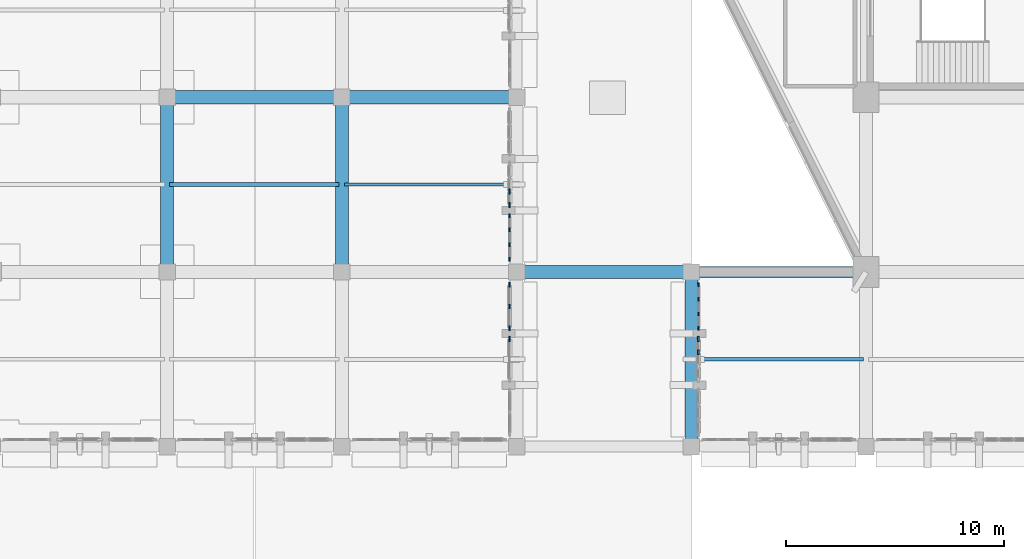
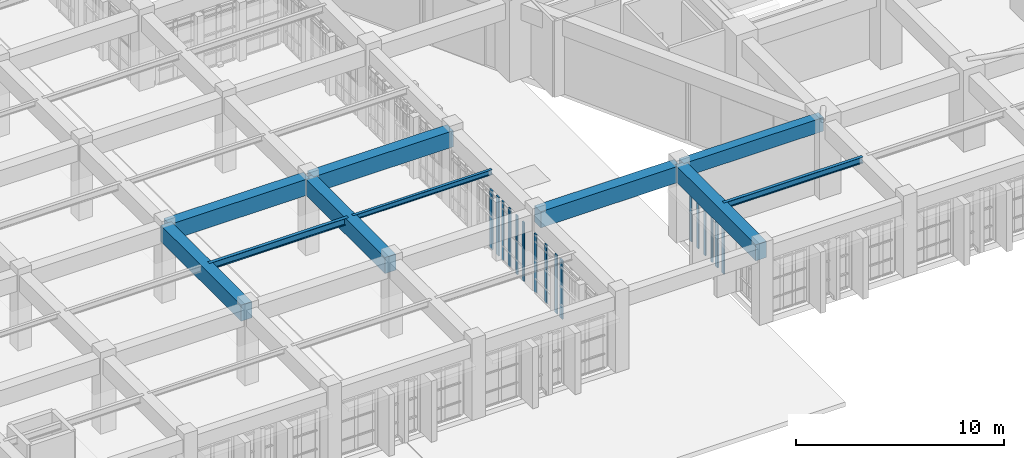
# One storey, part 12 of 155: 16 members, 10 beams, 6 elements without a shape of their own.
"""IFC4 building model written with IfcOpenShell, lengths in metres."""

from ifc_helpers import new_model, si_unit, direction, frame, origin, origin_2d, place, context, subcontext, project, spatial, rectangle, i_section, extrude, material, layer, layer_set, material_profile, profile_set, type_object, element, aggregate, save


model = new_model("IFC4")

# Units and contexts
model_context = context("Model", 3, precision=1e-05, world=origin(), true_north=direction((0.0, 1.0)))
body_context = subcontext(model_context, "Body", "Model", "MODEL_VIEW")
ifc_project = project(units=[si_unit("LENGTHUNIT", "METRE"), si_unit("AREAUNIT", "SQUARE_METRE"), si_unit("VOLUMEUNIT", "CUBIC_METRE"), si_unit("PLANEANGLEUNIT", "RADIAN"), si_unit("MASSUNIT", "GRAM", prefix="KILO")], contexts=[model_context])

# Site, building, storey
site_placement = place(None, origin())
site = spatial("IfcSite", under=ifc_project, at=site_placement, CompositionType="ELEMENT")
building_placement = place(site_placement, origin())
building = spatial("IfcBuilding", under=site, at=building_placement, Name="Tazarka Park Arena", CompositionType="ELEMENT")
storey_placement = place(building_placement, frame((0.0, 0.0, 5.39990234375)))
storey = spatial("IfcBuildingStorey", under=building, at=storey_placement, Name="L01", CompositionType="ELEMENT", Elevation=5.39990234375)

# Beams
ifc_material_1 = material(Name="Concrete C40/50", Category="concrete")
ifc_material_profile_1 = material_profile(ifc_material_1, rectangle(XDim=0.60009765625, YDim=0.949951171875, at=origin_2d()), Name="Concrete C40/50")
ifc_profile_set_1 = profile_set([ifc_material_profile_1], Name="Concrete C40/50")
beam_type_1 = type_object("IfcBeamType", Name="BM-B-03", PredefinedType="BEAM", material=ifc_profile_set_1)
for number, where, z_axis, x_axis, name in (
    (1, (32.0, 16.1201171875, 3.945068359375), (0.0, 1.0, 0.0), (-1.0, 0.0, 0.0), "GYM-L01-04-02"),
    (2, (32.1201171875, 24.0, 3.945068359375), (1.0, 0.0, 0.0), (0.0, 1.0, 0.0), "GXM-L01-04-03"),
    (3, (40.0, 16.1201171875, 3.945068359375), (0.0, 1.0, 0.0), (-1.0, 0.0, 0.0), "GYM-L01-05-02"),
    (4, (40.1201171875, 24.0, 3.945068359375), (1.0, 0.0, 0.0), (0.0, 1.0, 0.0), "GXM-L01-05-03"),
    (5, (48.1201171875, 16.0, 3.945068359375), (1.0, 0.0, 0.0), (0.0, 1.0, 0.0), "GXM-L01-06-02"),
    (6, (56.0, 8.1201171875, 3.945068359375), (0.0, 1.0, 0.0), (-1.0, 0.0, 0.0), "GYM-L01-07-01"),
):
    element("IfcBeam", number, at=place(storey_placement, frame(where, z_axis=z_axis, x_axis=x_axis)), inside=storey, type_object=beam_type_1, Name=name, PredefinedType="BEAM", context=body_context, shape_type="SweptSolid", body=[
        extrude(rectangle(XDim=0.60009765625, YDim=0.949951171875, at=origin_2d()), origin(), (0.0, 0.0, 1.0), 7.759765625),
    ])
ifc_material_2 = material(Name="Steel S355", Category="steel")
ifc_material_profile_2 = material_profile(ifc_material_2, i_section(OverallWidth=0.14990234375, OverallDepth=0.300048828125, WebThickness=0.007080078125, FlangeThickness=0.0107421875, FilletRadius=0.014892578125, at=origin_2d()), Name="Steel S355")
ifc_profile_set_2 = profile_set([ifc_material_profile_2], Name="Steel S355")
beam_type_2 = type_object("IfcBeamType", Name="BM-J-01", PredefinedType="JOIST", material=ifc_profile_set_2)
beam_1_placement = place(storey_placement, frame((40.1201171875, 20.0, 4.27001953125), z_axis=(1.0, 0.0, 0.0), x_axis=(0.0, 1.0, 0.0)))
element("IfcBeam", 7, at=beam_1_placement, inside=storey, type_object=beam_type_2, Name="JST-L01-05-02", PredefinedType="JOIST", context=body_context, shape_type="SweptSolid", body=[
    extrude(i_section(OverallWidth=0.14990234375, OverallDepth=0.300048828125, WebThickness=0.007080078125, FlangeThickness=0.0107421875, FilletRadius=0.014892578125, at=origin_2d()), origin(), (0.0, 0.0, 1.0), 7.759765625),
])
ifc_material_3 = material(Name="Steel S355", Category="steel")
ifc_material_profile_3 = material_profile(ifc_material_3, i_section(OverallWidth=0.169921875, OverallDepth=0.360107421875, WebThickness=0.008056640625, FlangeThickness=0.0126953125, FilletRadius=0.01806640625, at=origin_2d()), Name="Steel S355")
ifc_profile_set_3 = profile_set([ifc_material_profile_3], Name="Steel S355")
beam_type_3 = type_object("IfcBeamType", Name="BM-J-02", PredefinedType="JOIST", material=ifc_profile_set_3)
beam_2_placement = place(storey_placement, frame((56.1201171875, 12.0, 4.239990234375), z_axis=(1.0, 0.0, 0.0), x_axis=(0.0, 1.0, 0.0)))
element("IfcBeam", 8, at=beam_2_placement, inside=storey, type_object=beam_type_3, Name="JST-L01-07-01", PredefinedType="JOIST", context=body_context, shape_type="SweptSolid", body=[
    extrude(i_section(OverallWidth=0.169921875, OverallDepth=0.360107421875, WebThickness=0.008056640625, FlangeThickness=0.0126953125, FilletRadius=0.01806640625, at=origin_2d()), origin(), (0.0, 0.0, 1.0), 7.759765625),
])
ifc_material_4 = material(Name="Steel S355", Category="steel")
ifc_material_profile_4 = material_profile(ifc_material_4, i_section(OverallWidth=0.179931640625, OverallDepth=0.39990234375, WebThickness=0.008544921875, FlangeThickness=0.013427734375, FilletRadius=0.02099609375, at=origin_2d()), Name="Steel S355")
ifc_profile_set_4 = profile_set([ifc_material_profile_4], Name="Steel S355")
beam_type_4 = type_object("IfcBeamType", Name="BM-J-03", PredefinedType="JOIST", material=ifc_profile_set_4)
beam_3_placement = place(storey_placement, frame((32.1201171875, 20.0, 4.22021484375), z_axis=(1.0, 0.0, 0.0), x_axis=(0.0, 1.0, 0.0)))
element("IfcBeam", 9, at=beam_3_placement, inside=storey, type_object=beam_type_4, Name="JST-L01-04-02", PredefinedType="JOIST", context=body_context, shape_type="SweptSolid", body=[
    extrude(i_section(OverallWidth=0.179931640625, OverallDepth=0.39990234375, WebThickness=0.008544921875, FlangeThickness=0.013427734375, FilletRadius=0.02099609375, at=origin_2d()), origin(), (0.0, 0.0, 1.0), 7.759765625),
])
ifc_material_5 = material(Name="Concrete C40/50", Category="concrete")
ifc_material_profile_5 = material_profile(ifc_material_5, rectangle(XDim=0.5, YDim=0.800048828125, at=origin_2d()), Name="Concrete C40/50")
ifc_profile_set_5 = profile_set([ifc_material_profile_5], Name="Concrete C40/50")
beam_type_5 = type_object("IfcBeamType", Name="BM-SP-01", PredefinedType="SPANDREL", material=ifc_profile_set_5)
beam_4_placement = place(storey_placement, frame((56.1201171875, 16.0, 4.02001953125), z_axis=(1.0, 0.0, 0.0), x_axis=(0.0, 1.0, 0.0)))
element("IfcBeam", 10, at=beam_4_placement, inside=storey, type_object=beam_type_5, Name="GXM-L01-07-02", PredefinedType="SPANDREL", context=body_context, shape_type="SweptSolid", body=[
    extrude(rectangle(XDim=0.5, YDim=0.800048828125, at=origin_2d()), origin(), (0.0, 0.0, 1.0), 7.759765625),
])

# Curtain wall, members
ifc_material_6 = material(Name="Aluminium and low-e glass", Category="aluminium")
ifc_layer_1 = layer(ifc_material_6, 0.179931640625, Name="Aluminium and low-e glass")
ifc_layer_set_1 = layer_set([ifc_layer_1], Name="Aluminium and low-e glass")
curtain_wall_type_1 = type_object("IfcCurtainWallType", Name="CW-03", PredefinedType="NOTDEFINED", material=ifc_layer_set_1)
curtain_wall_1_placement = place(storey_placement, origin())
curtain_wall_1 = element("IfcCurtainWall", 11, at=curtain_wall_1_placement, inside=storey, type_object=curtain_wall_type_1, Name="Curtain Wall CWA-L01-003", PredefinedType="NOTDEFINED")
ifc_material_7 = material(Name="Aluminium 6060-T66", Category="aluminium")
ifc_material_profile_6 = material_profile(ifc_material_7, rectangle(XDim=0.06494140625, YDim=0.179931640625, at=origin_2d()), Name="Aluminium 6060-T66")
ifc_profile_set_6 = profile_set([ifc_material_profile_6], Name="Aluminium 6060-T66")
member_type_1 = type_object("IfcMemberType", Name="CWM-01", PredefinedType="MULLION", material=ifc_profile_set_6)
member_1_placement = place(storey_placement, frame((56.320068359375, 13.42431640625, 0.0), z_axis=(0.0, 0.0, 1.0), x_axis=(-1.0, 0.0, 0.0)))
member_1 = element("IfcMember", 12, at=member_1_placement, type_object=member_type_1, Name="CW-03 mullion 1", PredefinedType="MULLION", context=body_context, shape_type="SweptSolid", body=[
    extrude(rectangle(XDim=0.06494140625, YDim=0.179931640625, at=origin_2d()), origin(), (0.0, 0.0, 1.0), 3.4501953125),
])
member_2_placement = place(storey_placement, frame((56.320068359375, 14.076171875, 0.0), z_axis=(0.0, 0.0, 1.0), x_axis=(-1.0, 0.0, 0.0)))
member_2 = element("IfcMember", 13, at=member_2_placement, type_object=member_type_1, Name="CW-03 mullion 2", PredefinedType="MULLION", context=body_context, shape_type="SweptSolid", body=[
    extrude(rectangle(XDim=0.06494140625, YDim=0.179931640625, at=origin_2d()), origin(), (0.0, 0.0, 1.0), 3.4501953125),
])
member_3_placement = place(storey_placement, frame((56.320068359375, 14.760498046875, 0.0), z_axis=(0.0, 0.0, 1.0), x_axis=(-1.0, 0.0, 0.0)))
member_3 = element("IfcMember", 14, at=member_3_placement, type_object=member_type_1, Name="CW-03 mullion 3", PredefinedType="MULLION", context=body_context, shape_type="SweptSolid", body=[
    extrude(rectangle(XDim=0.06494140625, YDim=0.179931640625, at=origin_2d()), origin(), (0.0, 0.0, 1.0), 3.4501953125),
])
member_4_placement = place(storey_placement, frame((56.320068359375, 15.41259765625, 0.0), z_axis=(0.0, 0.0, 1.0), x_axis=(-1.0, 0.0, 0.0)))
member_4 = element("IfcMember", 15, at=member_4_placement, type_object=member_type_1, Name="CW-03 mullion 4", PredefinedType="MULLION", context=body_context, shape_type="SweptSolid", body=[
    extrude(rectangle(XDim=0.06494140625, YDim=0.179931640625, at=origin_2d()), origin(), (0.0, 0.0, 1.0), 3.4501953125),
])
aggregate(curtain_wall_1, [member_1, member_2, member_3, member_4])

curtain_wall_2_placement = place(storey_placement, origin())
curtain_wall_2 = element("IfcCurtainWall", 16, at=curtain_wall_2_placement, inside=storey, type_object=curtain_wall_type_1, Name="Curtain Wall CWA-L01-093", PredefinedType="NOTDEFINED")
member_5_placement = place(storey_placement, frame((47.679931640625, 18.57568359375, 0.0), z_axis=(0.0, 0.0, 1.0), x_axis=(1.0, 0.0, 0.0)))
member_5 = element("IfcMember", 17, at=member_5_placement, type_object=member_type_1, Name="CW-03 mullion 1", PredefinedType="MULLION", context=body_context, shape_type="SweptSolid", body=[
    extrude(rectangle(XDim=0.06494140625, YDim=0.179931640625, at=origin_2d()), origin(), (0.0, 0.0, 1.0), 3.4501953125),
])
member_6_placement = place(storey_placement, frame((47.679931640625, 17.923828125, 0.0), z_axis=(0.0, 0.0, 1.0), x_axis=(1.0, 0.0, 0.0)))
member_6 = element("IfcMember", 18, at=member_6_placement, type_object=member_type_1, Name="CW-03 mullion 2", PredefinedType="MULLION", context=body_context, shape_type="SweptSolid", body=[
    extrude(rectangle(XDim=0.06494140625, YDim=0.179931640625, at=origin_2d()), origin(), (0.0, 0.0, 1.0), 3.4501953125),
])
member_7_placement = place(storey_placement, frame((47.679931640625, 17.239501953125, 0.0), z_axis=(0.0, 0.0, 1.0), x_axis=(1.0, 0.0, 0.0)))
member_7 = element("IfcMember", 19, at=member_7_placement, type_object=member_type_1, Name="CW-03 mullion 3", PredefinedType="MULLION", context=body_context, shape_type="SweptSolid", body=[
    extrude(rectangle(XDim=0.06494140625, YDim=0.179931640625, at=origin_2d()), origin(), (0.0, 0.0, 1.0), 3.4501953125),
])
member_8_placement = place(storey_placement, frame((47.679931640625, 16.58740234375, 0.0), z_axis=(0.0, 0.0, 1.0), x_axis=(1.0, 0.0, 0.0)))
member_8 = element("IfcMember", 20, at=member_8_placement, type_object=member_type_1, Name="CW-03 mullion 4", PredefinedType="MULLION", context=body_context, shape_type="SweptSolid", body=[
    extrude(rectangle(XDim=0.06494140625, YDim=0.179931640625, at=origin_2d()), origin(), (0.0, 0.0, 1.0), 3.4501953125),
])
aggregate(curtain_wall_2, [member_5, member_6, member_7, member_8])

ifc_material_8 = material(Name="Aluminium and low-e glass", Category="aluminium")
ifc_layer_2 = layer(ifc_material_8, 0.179931640625, Name="Aluminium and low-e glass")
ifc_layer_set_2 = layer_set([ifc_layer_2], Name="Aluminium and low-e glass")
curtain_wall_type_2 = type_object("IfcCurtainWallType", Name="CW-28", PredefinedType="NOTDEFINED", material=ifc_layer_set_2)
curtain_wall_3_placement = place(storey_placement, origin())
curtain_wall_3 = element("IfcCurtainWall", 21, at=curtain_wall_3_placement, inside=storey, type_object=curtain_wall_type_2, Name="Curtain Wall CWA-L01-088", PredefinedType="NOTDEFINED")
ifc_material_9 = material(Name="Aluminium 6060-T66", Category="aluminium")
ifc_material_profile_7 = material_profile(ifc_material_9, rectangle(XDim=0.06494140625, YDim=0.219970703125, at=origin_2d()), Name="Aluminium 6060-T66")
ifc_profile_set_7 = profile_set([ifc_material_profile_7], Name="Aluminium 6060-T66")
member_type_2 = type_object("IfcMemberType", Name="CWM-02", PredefinedType="MULLION", material=ifc_profile_set_7)
member_9_placement = place(storey_placement, frame((47.679931640625, 15.41259765625, 0.0), z_axis=(0.0, 0.0, 1.0), x_axis=(1.0, 0.0, 0.0)))
member_9 = element("IfcMember", 22, at=member_9_placement, type_object=member_type_2, Name="CW-28 mullion 1", PredefinedType="MULLION", context=body_context, shape_type="SweptSolid", body=[
    extrude(rectangle(XDim=0.06494140625, YDim=0.219970703125, at=origin_2d()), origin(), (0.0, 0.0, 1.0), 3.4501953125),
])
member_10_placement = place(storey_placement, frame((47.679931640625, 14.41845703125, 0.0), z_axis=(0.0, 0.0, 1.0), x_axis=(1.0, 0.0, 0.0)))
member_10 = element("IfcMember", 23, at=member_10_placement, type_object=member_type_2, Name="CW-28 mullion 2", PredefinedType="MULLION", context=body_context, shape_type="SweptSolid", body=[
    extrude(rectangle(XDim=0.06494140625, YDim=0.219970703125, at=origin_2d()), origin(), (0.0, 0.0, 1.0), 3.4501953125),
])
member_11_placement = place(storey_placement, frame((47.679931640625, 13.42431640625, 0.0), z_axis=(0.0, 0.0, 1.0), x_axis=(1.0, 0.0, 0.0)))
member_11 = element("IfcMember", 24, at=member_11_placement, type_object=member_type_2, Name="CW-28 mullion 3", PredefinedType="MULLION", context=body_context, shape_type="SweptSolid", body=[
    extrude(rectangle(XDim=0.06494140625, YDim=0.219970703125, at=origin_2d()), origin(), (0.0, 0.0, 1.0), 3.4501953125),
])
aggregate(curtain_wall_3, [member_9, member_10, member_11])

ifc_material_10 = material(Name="Aluminium and low-e glass", Category="aluminium")
ifc_layer_3 = layer(ifc_material_10, 0.179931640625, Name="Aluminium and low-e glass")
ifc_layer_set_3 = layer_set([ifc_layer_3], Name="Aluminium and low-e glass")
curtain_wall_type_3 = type_object("IfcCurtainWallType", Name="CW-02", PredefinedType="NOTDEFINED", material=ifc_layer_set_3)
curtain_wall_4_placement = place(storey_placement, origin())
curtain_wall_4 = element("IfcCurtainWall", 25, at=curtain_wall_4_placement, inside=storey, type_object=curtain_wall_type_3, Name="Curtain Wall CWA-L01-002", PredefinedType="NOTDEFINED")
ifc_material_11 = material(Name="Aluminium 6060-T66", Category="aluminium")
ifc_material_profile_8 = material_profile(ifc_material_11, rectangle(XDim=0.074951171875, YDim=0.25, at=origin_2d()), Name="Aluminium 6060-T66")
ifc_profile_set_8 = profile_set([ifc_material_profile_8], Name="Aluminium 6060-T66")
member_type_3 = type_object("IfcMemberType", Name="CWM-03", PredefinedType="MULLION", material=ifc_profile_set_8)
member_12_placement = place(storey_placement, frame((56.320068359375, 12.323974609375, 0.0), z_axis=(0.0, 0.0, 1.0), x_axis=(-1.0, 0.0, 0.0)))
member_12 = element("IfcMember", 26, at=member_12_placement, type_object=member_type_3, Name="CW-02 mullion 3", PredefinedType="MULLION", context=body_context, shape_type="SweptSolid", body=[
    extrude(rectangle(XDim=0.074951171875, YDim=0.25, at=origin_2d()), origin(), (0.0, 0.0, 1.0), 3.4501953125),
])
member_13_placement = place(storey_placement, frame((56.320068359375, 12.93408203125, 0.0), z_axis=(0.0, 0.0, 1.0), x_axis=(-1.0, 0.0, 0.0)))
member_13 = element("IfcMember", 27, at=member_13_placement, type_object=member_type_3, Name="CW-02 mullion 4", PredefinedType="MULLION", context=body_context, shape_type="SweptSolid", body=[
    extrude(rectangle(XDim=0.074951171875, YDim=0.25, at=origin_2d()), origin(), (0.0, 0.0, 1.0), 3.4501953125),
])
aggregate(curtain_wall_4, [member_12, member_13])

# Curtain wall, member
ifc_material_12 = material(Name="Aluminium and low-e glass", Category="aluminium")
ifc_layer_4 = layer(ifc_material_12, 0.179931640625, Name="Aluminium and low-e glass")
ifc_layer_set_4 = layer_set([ifc_layer_4], Name="Aluminium and low-e glass")
curtain_wall_type_4 = type_object("IfcCurtainWallType", Name="CW-29", PredefinedType="NOTDEFINED", material=ifc_layer_set_4)
curtain_wall_5_placement = place(storey_placement, origin())
curtain_wall_5 = element("IfcCurtainWall", 28, at=curtain_wall_5_placement, inside=storey, type_object=curtain_wall_type_4, Name="Curtain Wall CWA-L01-089", PredefinedType="NOTDEFINED")
member_14_placement = place(storey_placement, frame((47.679931640625, 12.93408203125, 0.0), z_axis=(0.0, 0.0, 1.0), x_axis=(1.0, 0.0, 0.0)))
member_14 = element("IfcMember", 29, at=member_14_placement, type_object=member_type_3, Name="CW-29 mullion 1", PredefinedType="MULLION", context=body_context, shape_type="SweptSolid", body=[
    extrude(rectangle(XDim=0.074951171875, YDim=0.25, at=origin_2d()), origin(), (0.0, 0.0, 1.0), 3.4501953125),
])
aggregate(curtain_wall_5, [member_14])

# Curtain wall, members
curtain_wall_6_placement = place(storey_placement, origin())
curtain_wall_6 = element("IfcCurtainWall", 30, at=curtain_wall_6_placement, inside=storey, type_object=curtain_wall_type_3, Name="Curtain Wall CWA-L01-092", PredefinedType="NOTDEFINED")
member_15_placement = place(storey_placement, frame((47.679931640625, 19.676025390625, 0.0), z_axis=(0.0, 0.0, 1.0), x_axis=(1.0, 0.0, 0.0)))
member_15 = element("IfcMember", 31, at=member_15_placement, type_object=member_type_3, Name="CW-02 mullion 3", PredefinedType="MULLION", context=body_context, shape_type="SweptSolid", body=[
    extrude(rectangle(XDim=0.074951171875, YDim=0.25, at=origin_2d()), origin(), (0.0, 0.0, 1.0), 3.4501953125),
])
member_16_placement = place(storey_placement, frame((47.679931640625, 19.06591796875, 0.0), z_axis=(0.0, 0.0, 1.0), x_axis=(1.0, 0.0, 0.0)))
member_16 = element("IfcMember", 32, at=member_16_placement, type_object=member_type_3, Name="CW-02 mullion 4", PredefinedType="MULLION", context=body_context, shape_type="SweptSolid", body=[
    extrude(rectangle(XDim=0.074951171875, YDim=0.25, at=origin_2d()), origin(), (0.0, 0.0, 1.0), 3.4501953125),
])
aggregate(curtain_wall_6, [member_15, member_16])

save(model, "model.ifc")
